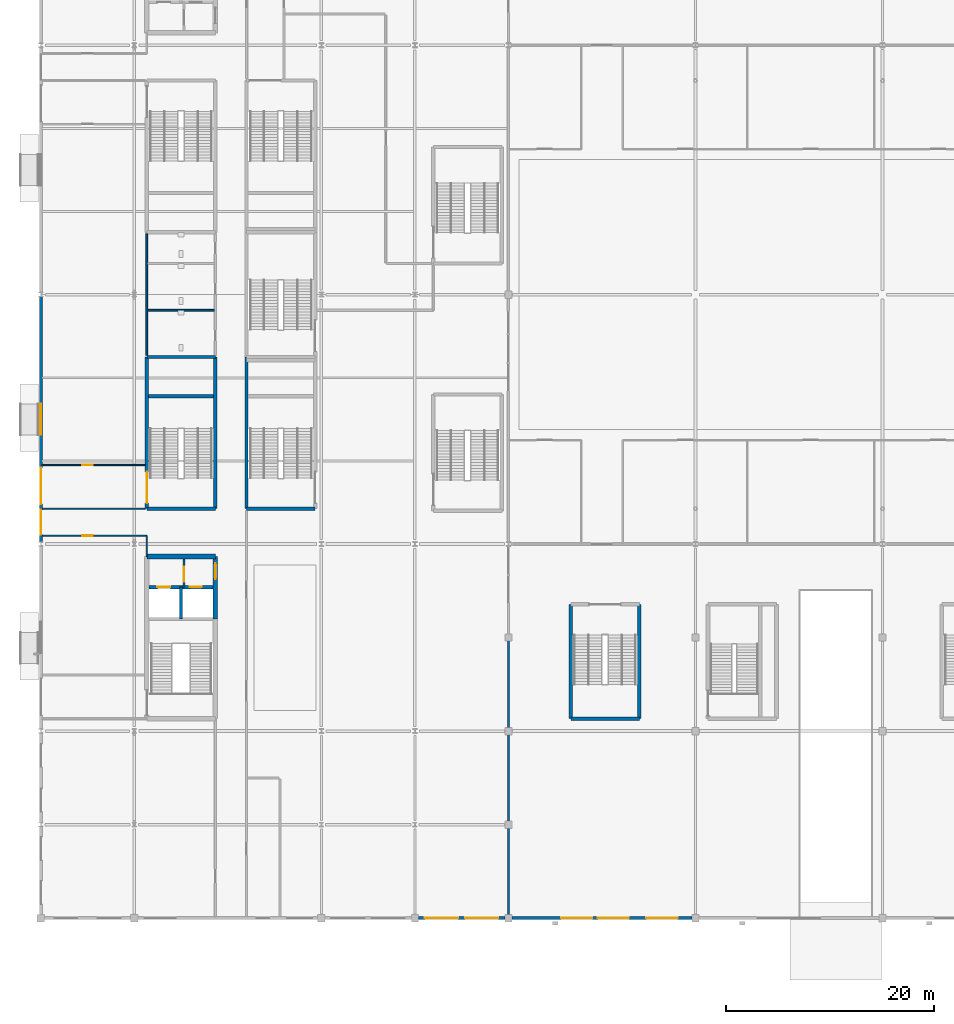
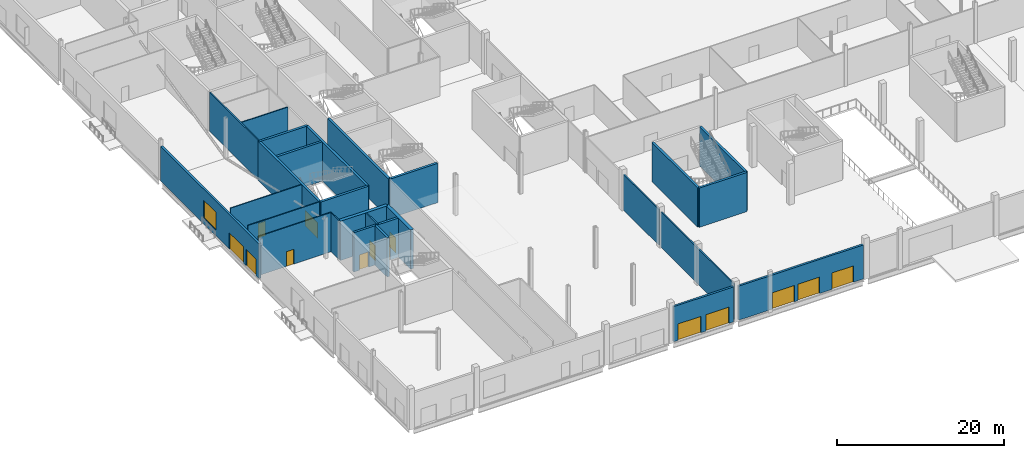
# One storey, part 30 of 84: 27 walls, 14 doors, 1 window, 15 openings.
"""IFC4 building model written with IfcOpenShell, lengths in metres."""

from ifc_helpers import new_model, si_unit, direction, frame, frame_2d, origin, place, context, subcontext, project, spatial, rectangle, extrude, material, layer, layer_set, type_object, element, fill, save


model = new_model("IFC4")

# Units and contexts
model_context = context("Model", 3, precision=1e-05, world=origin(), true_north=direction((0.0, 1.0)))
body_context = subcontext(model_context, "Body", "Model", "MODEL_VIEW")
ifc_project = project(units=[si_unit("LENGTHUNIT", "METRE"), si_unit("AREAUNIT", "SQUARE_METRE"), si_unit("VOLUMEUNIT", "CUBIC_METRE"), si_unit("PLANEANGLEUNIT", "RADIAN"), si_unit("MASSUNIT", "GRAM", prefix="KILO")], contexts=[model_context])

# Site, building, storey
site_placement = place(None, origin())
site = spatial("IfcSite", under=ifc_project, at=site_placement, CompositionType="ELEMENT")
building_placement = place(site_placement, origin())
building = spatial("IfcBuilding", under=site, at=building_placement, Name="Kisiwana Market Hall", CompositionType="ELEMENT")
storey_placement = place(building_placement, origin())
storey = spatial("IfcBuildingStorey", under=building, at=storey_placement, Name="L00", CompositionType="ELEMENT", Elevation=0.0)

# Wall, opening, door
ifc_material_1 = material(Name="Masonry blockwork", Category="masonry")
ifc_layer_1 = layer(ifc_material_1, 0.199951171875, Name="Plastered fire compartment block wall")
ifc_layer_set_1 = layer_set([ifc_layer_1], Name="WL-COMP-200")
wall_type_1 = type_object("IfcWallType", Name="WL-COMP-200", PredefinedType="PARTITIONING", material=ifc_layer_set_1)
wall_1_placement = place(storey_placement, frame((13.800048828125, 31.844970703125, 0.0), z_axis=(0.0, 0.0, 1.0), x_axis=(0.0, 1.0, 0.0)))
wall_1 = element("IfcWall", 1, at=wall_1_placement, inside=storey, type_object=wall_type_1, Name="Core W2 firefighting lobby wall W-0529", PredefinedType="PARTITIONING", context=body_context, shape_type="SweptSolid", body=[
    extrude(rectangle(XDim=2.72998046875, YDim=0.199951171875, at=frame_2d((1.364990234375, 0.0))), origin(), (0.0, 0.0, 1.0), 5.75),
])
opening_1_placement = place(wall_1_placement, frame((0.550048828125, 0.0, 0.0)))
opening_1 = element("IfcOpeningElement", 2, at=opening_1_placement, cuts=wall_1, Name="Opening DR-L00-003", PredefinedType="OPENING", context=body_context, shape_type="SweptSolid", body=[
    extrude(rectangle(XDim=1.39990234375, YDim=2.25, at=frame_2d((0.699951171875, 1.125))), frame((0.0, 0.11181640625, 0.0), z_axis=(0.0, -1.0, 0.0), x_axis=(1.0, 0.0, 0.0)), (0.0, 0.0, 1.0), 0.223876953125),
])
ifc_material_2 = material(Name="Steel S275", Category="steel")
door_type_1 = type_object("IfcDoorType", Name="DR-FFLOB-FD120-1400", OperationType="DOUBLE_DOOR_SINGLE_SWING", PredefinedType="DOOR", material=ifc_material_2)
door_1_placement = place(opening_1_placement, frame((1.39990234375, 0.0, 0.0), z_axis=(0.0, 0.0, 1.0), x_axis=(-1.0, 0.0, 0.0)))
door_1 = element("IfcDoor", 3, at=door_1_placement, inside=storey, type_object=door_type_1, Name="Firefighting Lift Lobby W2 Door (L00)", OperationType="DOUBLE_DOOR_SINGLE_SWING", OverallHeight=2.25, OverallWidth=1.39990234375, PredefinedType="DOOR", context=body_context, shape_type="SweptSolid", body=[
    extrude(rectangle(XDim=1.39990234375, YDim=2.25, at=frame_2d((0.699951171875, 1.125))), frame((0.0, 0.02490234375, 0.0), z_axis=(0.0, -1.0, 0.0), x_axis=(1.0, 0.0, 0.0)), (0.0, 0.0, 1.0), 0.050048828125),
])
fill(opening_1, door_1)

# Wall
ifc_material_3 = material(Name="Concrete C40/50", Category="concrete")
ifc_layer_2 = layer(ifc_material_3, 0.320068359375, Name="Reinforced concrete shaft wall")
ifc_layer_set_2 = layer_set([ifc_layer_2], Name="WL-CORE-320")
wall_type_2 = type_object("IfcWallType", Name="WL-CORE-320", PredefinedType="SHEAR", material=ifc_layer_set_2)
wall_2_placement = place(storey_placement, frame((13.5, 28.784912109375, 0.0), z_axis=(0.0, 0.0, 1.0), x_axis=(0.0, 1.0, 0.0)))
element("IfcWall", 4, at=wall_2_placement, inside=storey, type_object=wall_type_2, Name="Core W2 inter-shaft shear wall W-0341", PredefinedType="SHEAR", context=body_context, shape_type="SweptSolid", body=[
    extrude(rectangle(XDim=3.06005859375, YDim=0.320068359375, at=frame_2d((1.530029296875, 0.0))), origin(), (0.0, 0.0, 1.0), 5.75),
])

# Wall, opening, door
wall_3_placement = place(storey_placement, frame((10.425048828125, 31.844970703125, 0.0), z_axis=(0.0, 0.0, 1.0), x_axis=(1.0, 0.0, 0.0)))
wall_3 = element("IfcWall", 5, at=wall_3_placement, inside=storey, type_object=wall_type_2, Name="Core W2 west lift front wall W-0342", PredefinedType="SHEAR", context=body_context, shape_type="SweptSolid", body=[
    extrude(rectangle(XDim=3.074951171875, YDim=0.320068359375, at=frame_2d((1.53759765625, 0.0))), origin(), (0.0, 0.0, 1.0), 5.75),
])
opening_2_placement = place(wall_3_placement, frame((0.800048828125, 0.0, 0.0)))
opening_2 = element("IfcOpeningElement", 6, at=opening_2_placement, cuts=wall_3, Name="Opening LD-L00-001", PredefinedType="OPENING", context=body_context, shape_type="SweptSolid", body=[
    extrude(rectangle(XDim=1.25, YDim=2.25, at=frame_2d((0.625, 1.125))), frame((0.0, 0.171875, 0.0), z_axis=(0.0, -1.0, 0.0), x_axis=(1.0, 0.0, 0.0)), (0.0, 0.0, 1.0), 0.343994140625),
])
ifc_material_4 = material(Name="Steel S275", Category="steel")
door_type_2 = type_object("IfcDoorType", Name="DR-LIFT-FFL-1250", OperationType="DOUBLE_DOOR_SLIDING", PredefinedType="DOOR", material=ifc_material_4)
door_2_placement = place(opening_2_placement, origin())
door_2 = element("IfcDoor", 7, at=door_2_placement, inside=storey, type_object=door_type_2, Name="Lift Landing Door FFL-01 (L00)", OperationType="DOUBLE_DOOR_SLIDING", OverallHeight=2.25, OverallWidth=1.25, PredefinedType="DOOR", context=body_context, shape_type="SweptSolid", body=[
    extrude(rectangle(XDim=1.25, YDim=2.25, at=frame_2d((0.625, 1.125))), frame((0.0, 0.02490234375, 0.0), z_axis=(0.0, -1.0, 0.0), x_axis=(1.0, 0.0, 0.0)), (0.0, 0.0, 1.0), 0.050048828125),
])
fill(opening_2, door_2)

wall_4_placement = place(storey_placement, frame((13.5, 31.844970703125, 0.0), z_axis=(0.0, 0.0, 1.0), x_axis=(1.0, 0.0, 0.0)))
wall_4 = element("IfcWall", 8, at=wall_4_placement, inside=storey, type_object=wall_type_2, Name="Core W2 east lift front wall W-0343", PredefinedType="SHEAR", context=body_context, shape_type="SweptSolid", body=[
    extrude(rectangle(XDim=3.074951171875, YDim=0.320068359375, at=frame_2d((1.53759765625, 0.0))), origin(), (0.0, 0.0, 1.0), 5.75),
])
opening_3_placement = place(wall_4_placement, frame((0.85009765625, 0.0, 0.0)))
opening_3 = element("IfcOpeningElement", 9, at=opening_3_placement, cuts=wall_4, Name="Opening LD-L00-002", PredefinedType="OPENING", context=body_context, shape_type="SweptSolid", body=[
    extrude(rectangle(XDim=1.14990234375, YDim=2.199951171875, at=frame_2d((0.574951171875, 1.10009765625))), frame((0.0, 0.171875, 0.0), z_axis=(0.0, -1.0, 0.0), x_axis=(1.0, 0.0, 0.0)), (0.0, 0.0, 1.0), 0.343994140625),
])
ifc_material_5 = material(Name="Steel S275", Category="steel")
door_type_3 = type_object("IfcDoorType", Name="DR-LIFT-PAX-1150", OperationType="DOUBLE_DOOR_SLIDING", PredefinedType="DOOR", material=ifc_material_5)
door_3_placement = place(opening_3_placement, origin())
door_3 = element("IfcDoor", 10, at=door_3_placement, inside=storey, type_object=door_type_3, Name="Lift Landing Door LP-01 (L00)", OperationType="DOUBLE_DOOR_SLIDING", OverallHeight=2.199951171875, OverallWidth=1.14990234375, PredefinedType="DOOR", context=body_context, shape_type="SweptSolid", body=[
    extrude(rectangle(XDim=1.14990234375, YDim=2.199951171875, at=frame_2d((0.574951171875, 1.10009765625))), frame((0.0, 0.02490234375, 0.0), z_axis=(0.0, -1.0, 0.0), x_axis=(1.0, 0.0, 0.0)), (0.0, 0.0, 1.0), 0.050048828125),
])
fill(opening_3, door_3)

# Walls
for number, where, z_axis, x_axis, name in (
    (11, (10.199951171875, 39.39990234375, 0.0), (0.0, 0.0, 1.0), (1.0, 0.0, 0.0), "Core W3 south shear wall W-0393"),
    (12, (10.199951171875, 54.0, 0.0), (0.0, 0.0, 1.0), (1.0, 0.0, 0.0), "Core W3 north shear wall W-0394"),
):
    element("IfcWall", number, at=place(storey_placement, frame(where, z_axis=z_axis, x_axis=x_axis)), inside=storey, type_object=wall_type_2, Name=name, PredefinedType="SHEAR", context=body_context, shape_type="SweptSolid", body=[
        extrude(rectangle(XDim=6.60009765625, YDim=0.320068359375, at=frame_2d((3.300048828125, 0.0))), origin(), (0.0, 0.0, 1.0), 5.75),
    ])

# Wall, opening, door
wall_5_placement = place(storey_placement, frame((10.199951171875, 39.39990234375, 0.0), z_axis=(0.0, 0.0, 1.0), x_axis=(0.0, 1.0, 0.0)))
wall_5 = element("IfcWall", 13, at=wall_5_placement, inside=storey, type_object=wall_type_2, Name="Core W3 corridor shear wall W-0395", PredefinedType="SHEAR", context=body_context, shape_type="SweptSolid", body=[
    extrude(rectangle(XDim=14.60009765625, YDim=0.320068359375, at=frame_2d((7.300048828125, 0.0))), origin(), (0.0, 0.0, 1.0), 5.75),
])
opening_4_placement = place(wall_5_placement, frame((0.550048828125, 0.0, 0.0)))
opening_4 = element("IfcOpeningElement", 14, at=opening_4_placement, cuts=wall_5, Name="Opening DR-L00-019", PredefinedType="OPENING", context=body_context, shape_type="SweptSolid", body=[
    extrude(rectangle(XDim=3.0, YDim=2.25, at=frame_2d((1.5, 1.125))), frame((0.0, 0.171875, 0.0), z_axis=(0.0, -1.0, 0.0), x_axis=(1.0, 0.0, 0.0)), (0.0, 0.0, 1.0), 0.343994140625),
])
ifc_material_6 = material(Name="Steel S275", Category="steel")
door_type_4 = type_object("IfcDoorType", Name="DR-STAIR-FD120-3000", OperationType="DOUBLE_DOOR_SINGLE_SWING", PredefinedType="DOOR", material=ifc_material_6)
door_4_placement = place(opening_4_placement, frame((3.0, 0.0, 0.0), z_axis=(0.0, 0.0, 1.0), x_axis=(-1.0, 0.0, 0.0)))
door_4 = element("IfcDoor", 15, at=door_4_placement, inside=storey, type_object=door_type_4, Name="Escape Stair W3 Fire Door (L00)", OperationType="DOUBLE_DOOR_SINGLE_SWING", OverallHeight=2.25, OverallWidth=3.0, PredefinedType="DOOR", context=body_context, shape_type="SweptSolid", body=[
    extrude(rectangle(XDim=3.0, YDim=2.25, at=frame_2d((1.5, 1.125))), frame((0.0, 0.02490234375, 0.0), z_axis=(0.0, -1.0, 0.0), x_axis=(1.0, 0.0, 0.0)), (0.0, 0.0, 1.0), 0.050048828125),
])
fill(opening_4, door_4)

# Walls
wall_6_placement = place(storey_placement, frame((16.800048828125, 39.39990234375, 0.0), z_axis=(0.0, 0.0, 1.0), x_axis=(0.0, 1.0, 0.0)))
element("IfcWall", 16, at=wall_6_placement, inside=storey, type_object=wall_type_2, Name="Core W3 outer shear wall W-0396", PredefinedType="SHEAR", context=body_context, shape_type="SweptSolid", body=[
    extrude(rectangle(XDim=14.60009765625, YDim=0.320068359375, at=frame_2d((7.300048828125, 0.0))), origin(), (0.0, 0.0, 1.0), 5.75),
])
wall_7_placement = place(storey_placement, frame((10.360107421875, 50.219970703125, 0.0), z_axis=(0.0, 0.0, 1.0), x_axis=(1.0, 0.0, 0.0)))
element("IfcWall", 17, at=wall_7_placement, inside=storey, type_object=wall_type_2, Name="Core W3 riser divider shear wall W-0397", PredefinedType="SHEAR", context=body_context, shape_type="SweptSolid", body=[
    extrude(rectangle(XDim=6.27978515625, YDim=0.320068359375, at=frame_2d((3.139892578125, 0.0))), origin(), (0.0, 0.0, 1.0), 5.75),
])
wall_8_placement = place(storey_placement, frame((19.800048828125, 39.39990234375, 0.0), z_axis=(0.0, 0.0, 1.0), x_axis=(1.0, 0.0, 0.0)))
element("IfcWall", 18, at=wall_8_placement, inside=storey, type_object=wall_type_2, Name="Core W7 south shear wall W-0413", PredefinedType="SHEAR", context=body_context, shape_type="SweptSolid", body=[
    extrude(rectangle(XDim=6.599853515625, YDim=0.320068359375, at=frame_2d((3.2998046875, 0.0))), origin(), (0.0, 0.0, 1.0), 5.75),
])
wall_9_placement = place(storey_placement, frame((19.800048828125, 39.39990234375, 0.0), z_axis=(0.0, 0.0, 1.0), x_axis=(0.0, 1.0, 0.0)))
element("IfcWall", 19, at=wall_9_placement, inside=storey, type_object=wall_type_2, Name="Core W7 outer shear wall W-0415", PredefinedType="SHEAR", context=body_context, shape_type="SweptSolid", body=[
    extrude(rectangle(XDim=14.60009765625, YDim=0.320068359375, at=frame_2d((7.300048828125, 0.0))), origin(), (0.0, 0.0, 1.0), 5.75),
])
wall_10_placement = place(storey_placement, frame((51.0, 19.199951171875, 0.0), z_axis=(0.0, 0.0, 1.0), x_axis=(1.0, 0.0, 0.0)))
element("IfcWall", 20, at=wall_10_placement, inside=storey, type_object=wall_type_2, Name="Core S3 outer shear wall W-0457", PredefinedType="SHEAR", context=body_context, shape_type="SweptSolid", body=[
    extrude(rectangle(XDim=6.60009765625, YDim=0.320068359375, at=frame_2d((3.300048828125, 0.0))), origin(), (0.0, 0.0, 1.0), 5.75),
])
for number, where, z_axis, x_axis, name in (
    (21, (51.0, 19.199951171875, 0.0), (0.0, 0.0, 1.0), (0.0, 1.0, 0.0), "Core S3 west shear wall W-0459"),
    (22, (57.60009765625, 19.199951171875, 0.0), (0.0, 0.0, 1.0), (0.0, 1.0, 0.0), "Core S3 east shear wall W-0460"),
):
    element("IfcWall", number, at=place(storey_placement, frame(where, z_axis=z_axis, x_axis=x_axis)), inside=storey, type_object=wall_type_2, Name=name, PredefinedType="SHEAR", context=body_context, shape_type="SweptSolid", body=[
        extrude(rectangle(XDim=11.0, YDim=0.320068359375, at=frame_2d((5.5, 0.0))), origin(), (0.0, 0.0, 1.0), 5.75),
    ])
ifc_material_7 = material(Name="Concrete C40/50", Category="concrete")
ifc_layer_3 = layer(ifc_material_7, 0.449951171875, Name="Reinforced concrete core wall")
ifc_layer_set_3 = layer_set([ifc_layer_3], Name="WL-CORE-450")
wall_type_3 = type_object("IfcWallType", Name="WL-CORE-450", PredefinedType="SHEAR", material=ifc_layer_set_3)
wall_11_placement = place(storey_placement, frame((10.199951171875, 34.800048828125, 0.0), z_axis=(0.0, 0.0, 1.0), x_axis=(1.0, 0.0, 0.0)))
element("IfcWall", 23, at=wall_11_placement, inside=storey, type_object=wall_type_3, Name="Core W2 north shear wall W-0336", PredefinedType="SHEAR", context=body_context, shape_type="SweptSolid", body=[
    extrude(rectangle(XDim=6.60009765625, YDim=0.449951171875, at=frame_2d((3.300048828125, 0.0))), origin(), (0.0, 0.0, 1.0), 5.75),
])

# Wall, opening, door
wall_12_placement = place(storey_placement, frame((16.800048828125, 28.784912109375, 0.0), z_axis=(0.0, 0.0, 1.0), x_axis=(0.0, 1.0, 0.0)))
wall_12 = element("IfcWall", 24, at=wall_12_placement, inside=storey, type_object=wall_type_3, Name="Core W2 lobby corridor shear wall W-0339", PredefinedType="SHEAR", context=body_context, shape_type="SweptSolid", body=[
    extrude(rectangle(XDim=6.01513671875, YDim=0.449951171875, at=frame_2d((3.007568359375, 0.0))), origin(), (0.0, 0.0, 1.0), 5.75),
])
opening_5_placement = place(wall_12_placement, frame((3.85009765625, 0.0, 0.0)))
opening_5 = element("IfcOpeningElement", 25, at=opening_5_placement, cuts=wall_12, Name="Opening DR-L00-002", PredefinedType="OPENING", context=body_context, shape_type="SweptSolid", body=[
    extrude(rectangle(XDim=1.5, YDim=2.199951171875, at=frame_2d((0.75, 1.10009765625))), frame((0.0, 0.23681640625, 0.0), z_axis=(0.0, -1.0, 0.0), x_axis=(1.0, 0.0, 0.0)), (0.0, 0.0, 1.0), 0.473876953125),
])
ifc_material_8 = material(Name="Steel S275", Category="steel")
door_type_5 = type_object("IfcDoorType", Name="DR-CORR-FD60-1500", OperationType="DOUBLE_DOOR_SINGLE_SWING", PredefinedType="DOOR", material=ifc_material_8)
door_5_placement = place(opening_5_placement, frame((1.5, 0.0, 0.0), z_axis=(0.0, 0.0, 1.0), x_axis=(-1.0, 0.0, 0.0)))
door_5 = element("IfcDoor", 26, at=door_5_placement, inside=storey, type_object=door_type_5, Name="Passenger Lift Lobby W2 Smoke Door (L00)", OperationType="DOUBLE_DOOR_SINGLE_SWING", OverallHeight=2.199951171875, OverallWidth=1.5, PredefinedType="DOOR", context=body_context, shape_type="SweptSolid", body=[
    extrude(rectangle(XDim=1.5, YDim=2.199951171875, at=frame_2d((0.75, 1.10009765625))), frame((0.0, 0.02490234375, 0.0), z_axis=(0.0, -1.0, 0.0), x_axis=(1.0, 0.0, 0.0)), (0.0, 0.0, 1.0), 0.050048828125),
])
fill(opening_5, door_5)

# Walls
ifc_material_9 = material(Name="Masonry blockwork", Category="masonry")
ifc_layer_4 = layer(ifc_material_9, 0.169921875, Name="Protected corridor partition")
ifc_layer_set_4 = layer_set([ifc_layer_4], Name="WL-CORR-170")
wall_type_4 = type_object("IfcWallType", Name="WL-CORR-170", PredefinedType="PARTITIONING", material=ifc_layer_set_4)
wall_13_placement = place(storey_placement, frame((10.199951171875, 54.159912109375, 0.0), z_axis=(0.0, 0.0, 1.0), x_axis=(0.0, 1.0, 0.0)))
element("IfcWall", 27, at=wall_13_placement, inside=storey, type_object=wall_type_4, Name="Interior partition W-0533", PredefinedType="PARTITIONING", context=body_context, shape_type="SweptSolid", body=[
    extrude(rectangle(XDim=11.68017578125, YDim=0.169921875, at=frame_2d((5.840087890625, 0.0))), origin(), (0.0, 0.0, 1.0), 5.75),
])
wall_14_placement = place(storey_placement, frame((45.0, 0.219970703125, 0.0), z_axis=(0.0, 0.0, 1.0), x_axis=(0.0, 1.0, 0.0)))
element("IfcWall", 28, at=wall_14_placement, inside=storey, type_object=wall_type_4, Name="Interior partition W-0554", PredefinedType="PARTITIONING", context=body_context, shape_type="SweptSolid", body=[
    extrude(rectangle(XDim=17.56005859375, YDim=0.169921875, at=frame_2d((8.780029296875, 0.0))), origin(), (0.0, 0.0, 1.0), 5.216796875),
])
wall_15_placement = place(storey_placement, frame((45.0, 18.219970703125, 0.0), z_axis=(0.0, 0.0, 1.0), x_axis=(0.0, 1.0, 0.0)))
element("IfcWall", 29, at=wall_15_placement, inside=storey, type_object=wall_type_4, Name="Interior partition W-0555", PredefinedType="PARTITIONING", context=body_context, shape_type="SweptSolid", body=[
    extrude(rectangle(XDim=8.56005859375, YDim=0.169921875, at=frame_2d((4.280029296875, 0.0))), origin(), (0.0, 0.0, 1.0), 5.216796875),
])

# Wall, openings, doors
ifc_material_10 = material(Name="Masonry blockwork", Category="masonry")
ifc_layer_5 = layer(ifc_material_10, 0.139892578125, Name="Rendered masonry outer leaf")
ifc_material_11 = material(Name="Mineral wool insulation")
ifc_layer_6 = layer(ifc_material_11, 0.074951171875, Name="Mineral wool cavity insulation")
ifc_material_12 = material(Name="Gypsum plasterboard")
ifc_layer_7 = layer(ifc_material_12, 0.074951171875, Name="Calcium silicate inner lining")
ifc_layer_set_5 = layer_set([ifc_layer_5, ifc_layer_6, ifc_layer_7], Name="WL-EXT-MAS-290")
wall_type_5 = type_object("IfcWallType", Name="WL-EXT-MAS-290", PredefinedType="STANDARD", material=ifc_layer_set_5)
wall_16_placement = place(storey_placement, frame((36.342041015625, 0.0, 0.0), z_axis=(0.0, 0.0, 1.0), x_axis=(1.0, 0.0, 0.0)))
wall_16 = element("IfcWall", 30, at=wall_16_placement, inside=storey, type_object=wall_type_5, Name="Exterior wall W-0492", PredefinedType="STANDARD", context=body_context, shape_type="SweptSolid", body=[
    extrude(rectangle(XDim=8.31591796875, YDim=0.2900390625, at=frame_2d((4.157958984375, 0.0))), origin(), (0.0, 0.0, 1.0), 5.1376953125),
])
opening_6_placement = place(wall_16_placement, frame((0.62890625, 0.0, 0.0)))
opening_6 = element("IfcOpeningElement", 31, at=opening_6_placement, cuts=wall_16, Name="Opening DR-L00-807", PredefinedType="OPENING", context=body_context, shape_type="SweptSolid", body=[
    extrude(rectangle(XDim=3.199951171875, YDim=2.39990234375, at=frame_2d((1.60009765625, 1.199951171875))), frame((0.0, 0.156982421875, 0.0), z_axis=(0.0, -1.0, 0.0), x_axis=(1.0, 0.0, 0.0)), (0.0, 0.0, 1.0), 0.31396484375),
])
opening_7_placement = place(wall_16_placement, frame((4.487060546875, 0.0, 0.0)))
opening_7 = element("IfcOpeningElement", 32, at=opening_7_placement, cuts=wall_16, Name="Opening DR-L00-808", PredefinedType="OPENING", context=body_context, shape_type="SweptSolid", body=[
    extrude(rectangle(XDim=3.199951171875, YDim=2.39990234375, at=frame_2d((1.60009765625, 1.199951171875))), frame((0.0, 0.156982421875, 0.0), z_axis=(0.0, -1.0, 0.0), x_axis=(1.0, 0.0, 0.0)), (0.0, 0.0, 1.0), 0.31396484375),
])
ifc_material_13 = material(Name="Aluminium alloy 6063-T6", Category="aluminium")
door_type_6 = type_object("IfcDoorType", Name="DR-EXT-EX-3200", OperationType="DOUBLE_DOOR_SINGLE_SWING", PredefinedType="DOOR", material=ifc_material_13)
door_6_placement = place(opening_6_placement, frame((3.199951171875, 0.0, 0.0), z_axis=(0.0, 0.0, 1.0), x_axis=(-1.0, 0.0, 0.0)))
door_6 = element("IfcDoor", 33, at=door_6_placement, inside=storey, type_object=door_type_6, Name="Ground avenue pedestrian final exit door DR-L00-807", OperationType="DOUBLE_DOOR_SINGLE_SWING", OverallHeight=2.39990234375, OverallWidth=3.199951171875, PredefinedType="DOOR", context=body_context, shape_type="SweptSolid", body=[
    extrude(rectangle(XDim=3.199951171875, YDim=2.39990234375, at=frame_2d((1.60009765625, 1.199951171875))), frame((0.0, 0.02490234375, 0.0), z_axis=(0.0, -1.0, 0.0), x_axis=(1.0, 0.0, 0.0)), (0.0, 0.0, 1.0), 0.050048828125),
])
fill(opening_6, door_6)
door_7_placement = place(opening_7_placement, frame((3.199951171875, 0.0, 0.0), z_axis=(0.0, 0.0, 1.0), x_axis=(-1.0, 0.0, 0.0)))
door_7 = element("IfcDoor", 34, at=door_7_placement, inside=storey, type_object=door_type_6, Name="Ground avenue pedestrian final exit door DR-L00-808", OperationType="DOUBLE_DOOR_SINGLE_SWING", OverallHeight=2.39990234375, OverallWidth=3.199951171875, PredefinedType="DOOR", context=body_context, shape_type="SweptSolid", body=[
    extrude(rectangle(XDim=3.199951171875, YDim=2.39990234375, at=frame_2d((1.60009765625, 1.199951171875))), frame((0.0, 0.02490234375, 0.0), z_axis=(0.0, -1.0, 0.0), x_axis=(1.0, 0.0, 0.0)), (0.0, 0.0, 1.0), 0.050048828125),
])
fill(opening_7, door_7)

wall_17_placement = place(storey_placement, frame((45.342041015625, 0.0, 0.0), z_axis=(0.0, 0.0, 1.0), x_axis=(1.0, 0.0, 0.0)))
wall_17 = element("IfcWall", 35, at=wall_17_placement, inside=storey, type_object=wall_type_5, Name="Exterior wall W-0493", PredefinedType="STANDARD", context=body_context, shape_type="SweptSolid", body=[
    extrude(rectangle(XDim=17.31591796875, YDim=0.2900390625, at=frame_2d((8.657958984375, 0.0))), origin(), (0.0, 0.0, 1.0), 4.98779296875),
])
opening_8_placement = place(wall_17_placement, frame((4.736083984375, 0.0, 0.0)))
opening_8 = element("IfcOpeningElement", 36, at=opening_8_placement, cuts=wall_17, Name="Opening DR-L00-809", PredefinedType="OPENING", context=body_context, shape_type="SweptSolid", body=[
    extrude(rectangle(XDim=3.0, YDim=2.39990234375, at=frame_2d((1.5, 1.199951171875))), frame((0.0, 0.156982421875, 0.0), z_axis=(0.0, -1.0, 0.0), x_axis=(1.0, 0.0, 0.0)), (0.0, 0.0, 1.0), 0.31396484375),
])
opening_9_placement = place(wall_17_placement, frame((8.258056640625, 0.0, 0.0)))
opening_9 = element("IfcOpeningElement", 37, at=opening_9_placement, cuts=wall_17, Name="Opening DR-L00-810", PredefinedType="OPENING", context=body_context, shape_type="SweptSolid", body=[
    extrude(rectangle(XDim=3.0, YDim=2.39990234375, at=frame_2d((1.5, 1.199951171875))), frame((0.0, 0.156982421875, 0.0), z_axis=(0.0, -1.0, 0.0), x_axis=(1.0, 0.0, 0.0)), (0.0, 0.0, 1.0), 0.31396484375),
])
opening_10_placement = place(wall_17_placement, frame((12.929931640625, 0.0, 0.0)))
opening_10 = element("IfcOpeningElement", 38, at=opening_10_placement, cuts=wall_17, Name="Opening DR-L00-811", PredefinedType="OPENING", context=body_context, shape_type="SweptSolid", body=[
    extrude(rectangle(XDim=3.0, YDim=2.39990234375, at=frame_2d((1.5, 1.199951171875))), frame((0.0, 0.156982421875, 0.0), z_axis=(0.0, -1.0, 0.0), x_axis=(1.0, 0.0, 0.0)), (0.0, 0.0, 1.0), 0.31396484375),
])
ifc_material_14 = material(Name="Aluminium alloy 6063-T6", Category="aluminium")
door_type_7 = type_object("IfcDoorType", Name="DR-EXT-EX-3000", OperationType="DOUBLE_DOOR_SINGLE_SWING", PredefinedType="DOOR", material=ifc_material_14)
door_8_placement = place(opening_8_placement, frame((3.0, 0.0, 0.0), z_axis=(0.0, 0.0, 1.0), x_axis=(-1.0, 0.0, 0.0)))
door_8 = element("IfcDoor", 39, at=door_8_placement, inside=storey, type_object=door_type_7, Name="Ground avenue pedestrian final exit door DR-L00-809", OperationType="DOUBLE_DOOR_SINGLE_SWING", OverallHeight=2.39990234375, OverallWidth=3.0, PredefinedType="DOOR", context=body_context, shape_type="SweptSolid", body=[
    extrude(rectangle(XDim=3.0, YDim=2.39990234375, at=frame_2d((1.5, 1.199951171875))), frame((0.0, 0.02490234375, 0.0), z_axis=(0.0, -1.0, 0.0), x_axis=(1.0, 0.0, 0.0)), (0.0, 0.0, 1.0), 0.050048828125),
])
fill(opening_8, door_8)
door_9_placement = place(opening_9_placement, frame((3.0, 0.0, 0.0), z_axis=(0.0, 0.0, 1.0), x_axis=(-1.0, 0.0, 0.0)))
door_9 = element("IfcDoor", 40, at=door_9_placement, inside=storey, type_object=door_type_7, Name="Ground avenue pedestrian final exit door DR-L00-810", OperationType="DOUBLE_DOOR_SINGLE_SWING", OverallHeight=2.39990234375, OverallWidth=3.0, PredefinedType="DOOR", context=body_context, shape_type="SweptSolid", body=[
    extrude(rectangle(XDim=3.0, YDim=2.39990234375, at=frame_2d((1.5, 1.199951171875))), frame((0.0, 0.02490234375, 0.0), z_axis=(0.0, -1.0, 0.0), x_axis=(1.0, 0.0, 0.0)), (0.0, 0.0, 1.0), 0.050048828125),
])
fill(opening_9, door_9)
door_10_placement = place(opening_10_placement, frame((3.0, 0.0, 0.0), z_axis=(0.0, 0.0, 1.0), x_axis=(-1.0, 0.0, 0.0)))
door_10 = element("IfcDoor", 41, at=door_10_placement, inside=storey, type_object=door_type_7, Name="Ground avenue pedestrian final exit door DR-L00-811", OperationType="DOUBLE_DOOR_SINGLE_SWING", OverallHeight=2.39990234375, OverallWidth=3.0, PredefinedType="DOOR", context=body_context, shape_type="SweptSolid", body=[
    extrude(rectangle(XDim=3.0, YDim=2.39990234375, at=frame_2d((1.5, 1.199951171875))), frame((0.0, 0.02490234375, 0.0), z_axis=(0.0, -1.0, 0.0), x_axis=(1.0, 0.0, 0.0)), (0.0, 0.0, 1.0), 0.050048828125),
])
fill(opening_10, door_10)

# Wall, openings, doors, window
wall_18_placement = place(storey_placement, frame((0.0, 36.198486328125, 0.0), z_axis=(0.0, 0.0, 1.0), x_axis=(0.0, 1.0, 0.0)))
wall_18 = element("IfcWall", 42, at=wall_18_placement, inside=storey, type_object=wall_type_5, Name="Exterior wall W-0520", PredefinedType="STANDARD", context=body_context, shape_type="SweptSolid", body=[
    extrude(rectangle(XDim=23.60302734375, YDim=0.2900390625, at=frame_2d((11.801513671875, 0.0))), origin(), (0.0, 0.0, 1.0), 5.06640625),
])
opening_11_placement = place(wall_18_placement, frame((0.701416015625, 0.0, 0.0)))
opening_11 = element("IfcOpeningElement", 43, at=opening_11_placement, cuts=wall_18, Name="Opening DR-L00-865", PredefinedType="OPENING", context=body_context, shape_type="SweptSolid", body=[
    extrude(rectangle(XDim=2.39990234375, YDim=2.39990234375, at=frame_2d((1.199951171875, 1.199951171875))), frame((0.0, 0.156982421875, 0.0), z_axis=(0.0, -1.0, 0.0), x_axis=(1.0, 0.0, 0.0)), (0.0, 0.0, 1.0), 0.31396484375),
])
opening_12_placement = place(wall_18_placement, frame((3.651611328125, 0.0, 0.0)))
opening_12 = element("IfcOpeningElement", 44, at=opening_12_placement, cuts=wall_18, Name="Opening DR-L00-866", PredefinedType="OPENING", context=body_context, shape_type="SweptSolid", body=[
    extrude(rectangle(XDim=3.5, YDim=2.39990234375, at=frame_2d((1.75, 1.199951171875))), frame((0.0, 0.156982421875, 0.0), z_axis=(0.0, -1.0, 0.0), x_axis=(1.0, 0.0, 0.0)), (0.0, 0.0, 1.0), 0.31396484375),
])
opening_13_placement = place(wall_18_placement, frame((10.301513671875, 0.0, 0.85009765625)))
opening_13 = element("IfcOpeningElement", 45, at=opening_13_placement, cuts=wall_18, Name="Opening WN-06", PredefinedType="OPENING", context=body_context, shape_type="SweptSolid", body=[
    extrude(rectangle(XDim=3.0, YDim=2.60009765625, at=frame_2d((1.5, 1.300048828125))), frame((0.0, 0.156982421875, 0.0), z_axis=(0.0, -1.0, 0.0), x_axis=(1.0, 0.0, 0.0)), (0.0, 0.0, 1.0), 0.31396484375),
])
ifc_material_15 = material(Name="Aluminium alloy 6063-T6", Category="aluminium")
door_type_8 = type_object("IfcDoorType", Name="DR-EXT-EX-2400", OperationType="DOUBLE_DOOR_SINGLE_SWING", PredefinedType="DOOR", material=ifc_material_15)
door_11_placement = place(opening_11_placement, origin())
door_11 = element("IfcDoor", 46, at=door_11_placement, inside=storey, type_object=door_type_8, Name="Access corridor final exit door DR-L00-865", OperationType="DOUBLE_DOOR_SINGLE_SWING", OverallHeight=2.39990234375, OverallWidth=2.39990234375, PredefinedType="DOOR", context=body_context, shape_type="SweptSolid", body=[
    extrude(rectangle(XDim=2.39990234375, YDim=2.39990234375, at=frame_2d((1.199951171875, 1.199951171875))), frame((0.0, 0.02490234375, 0.0), z_axis=(0.0, -1.0, 0.0), x_axis=(1.0, 0.0, 0.0)), (0.0, 0.0, 1.0), 0.050048828125),
])
fill(opening_11, door_11)
ifc_material_16 = material(Name="Aluminium alloy 6063-T6", Category="aluminium")
door_type_9 = type_object("IfcDoorType", Name="DR-EXT-EX-3500", OperationType="DOUBLE_DOOR_SINGLE_SWING", PredefinedType="DOOR", material=ifc_material_16)
door_12_placement = place(opening_12_placement, origin())
door_12 = element("IfcDoor", 47, at=door_12_placement, inside=storey, type_object=door_type_9, Name="Escape passage final exit door DR-L00-866", OperationType="DOUBLE_DOOR_SINGLE_SWING", OverallHeight=2.39990234375, OverallWidth=3.5, PredefinedType="DOOR", context=body_context, shape_type="SweptSolid", body=[
    extrude(rectangle(XDim=3.5, YDim=2.39990234375, at=frame_2d((1.75, 1.199951171875))), frame((0.0, 0.02490234375, 0.0), z_axis=(0.0, -1.0, 0.0), x_axis=(1.0, 0.0, 0.0)), (0.0, 0.0, 1.0), 0.050048828125),
])
fill(opening_12, door_12)
ifc_material_17 = material(Name="Double-glazed solar-control low-E IGU", Category="glass")
window_type = type_object("IfcWindowType", Name="WN-POD-3000x2600", PartitioningType="SINGLE_PANEL", PredefinedType="WINDOW", material=ifc_material_17)
window_placement = place(opening_13_placement, origin())
window = element("IfcWindow", 48, at=window_placement, inside=storey, type_object=window_type, Name="Exterior window WN-007", OverallHeight=2.60009765625, OverallWidth=3.0, PartitioningType="SINGLE_PANEL", PredefinedType="WINDOW", context=body_context, shape_type="SweptSolid", body=[
    extrude(rectangle(XDim=3.0, YDim=2.60009765625, at=frame_2d((1.5, 1.300048828125))), frame((0.0, 0.030029296875, 0.0), z_axis=(0.0, -1.0, 0.0), x_axis=(1.0, 0.0, 0.0)), (0.0, 0.0, 1.0), 0.06005859375),
])
fill(opening_13, window)

# Wall
ifc_material_18 = material(Name="Gypsum plasterboard")
ifc_layer_8 = layer(ifc_material_18, 0.125, Name="Double gypsum board + acoustic stud")
ifc_layer_set_6 = layer_set([ifc_layer_8], Name="WL-OFF-125")
wall_type_6 = type_object("IfcWallType", Name="WL-OFF-125", PredefinedType="PARTITIONING", material=ifc_layer_set_6)
wall_19_placement = place(storey_placement, frame((10.199951171875, 34.800048828125, 0.0), z_axis=(0.0, 0.0, 1.0), x_axis=(0.0, 1.0, 0.0)))
element("IfcWall", 49, at=wall_19_placement, inside=storey, type_object=wall_type_6, Name="Interior partition W-0537", PredefinedType="PARTITIONING", context=body_context, shape_type="SweptSolid", body=[
    extrude(rectangle(XDim=2.0, YDim=0.125, at=frame_2d((1.0, 0.0))), origin(), (0.0, 0.0, 1.0), 5.75),
])

# Wall, opening, door
wall_20_placement = place(storey_placement, frame((0.14501953125, 36.800048828125, 0.0), z_axis=(0.0, 0.0, 1.0), x_axis=(1.0, 0.0, 0.0)))
wall_20 = element("IfcWall", 50, at=wall_20_placement, inside=storey, type_object=wall_type_6, Name="Interior partition W-0541", PredefinedType="PARTITIONING", context=body_context, shape_type="SweptSolid", body=[
    extrude(rectangle(XDim=10.054931640625, YDim=0.125, at=frame_2d((5.02734375, 0.0))), origin(), (0.0, 0.0, 1.0), 5.75),
])
opening_14_placement = place(wall_20_placement, frame((3.85498046875, 0.0, 0.0)))
opening_14 = element("IfcOpeningElement", 51, at=opening_14_placement, cuts=wall_20, Name="Opening DR-L00-044", PredefinedType="OPENING", context=body_context, shape_type="SweptSolid", body=[
    extrude(rectangle(XDim=1.0, YDim=2.14990234375, at=frame_2d((0.5, 1.074951171875))), frame((0.0, 0.074462890625, 0.0), z_axis=(0.0, -1.0, 0.0), x_axis=(1.0, 0.0, 0.0)), (0.0, 0.0, 1.0), 0.14892578125),
])
ifc_material_19 = material(Name="Steel S275", Category="steel")
door_type_10 = type_object("IfcDoorType", Name="DR-OFF-FD30-1000", OperationType="NOTDEFINED", PredefinedType="DOOR", material=ifc_material_19)
door_13_placement = place(opening_14_placement, frame((1.0, 0.0, 0.0), z_axis=(0.0, 0.0, 1.0), x_axis=(-1.0, 0.0, 0.0)))
door_13 = element("IfcDoor", 52, at=door_13_placement, inside=storey, type_object=door_type_10, Name="L00 W Municipal Office South Door", OperationType="SINGLE_SWING_RIGHT", OverallHeight=2.14990234375, OverallWidth=1.0, PredefinedType="DOOR", context=body_context, shape_type="SweptSolid", body=[
    extrude(rectangle(XDim=1.0, YDim=2.14990234375, at=frame_2d((0.5, 1.074951171875))), frame((0.0, 0.02490234375, 0.0), z_axis=(0.0, -1.0, 0.0), x_axis=(1.0, 0.0, 0.0)), (0.0, 0.0, 1.0), 0.050048828125),
])
fill(opening_14, door_13)

# Wall
wall_21_placement = place(storey_placement, frame((0.14501953125, 39.39990234375, 0.0), z_axis=(0.0, 0.0, 1.0), x_axis=(1.0, 0.0, 0.0)))
element("IfcWall", 53, at=wall_21_placement, inside=storey, type_object=wall_type_6, Name="Interior partition W-0542", PredefinedType="PARTITIONING", context=body_context, shape_type="SweptSolid", body=[
    extrude(rectangle(XDim=9.89501953125, YDim=0.125, at=frame_2d((4.947509765625, 0.0))), origin(), (0.0, 0.0, 1.0), 5.75),
])

# Wall, opening, door
wall_22_placement = place(storey_placement, frame((0.14501953125, 43.60009765625, 0.0), z_axis=(0.0, 0.0, 1.0), x_axis=(1.0, 0.0, 0.0)))
wall_22 = element("IfcWall", 54, at=wall_22_placement, inside=storey, type_object=wall_type_6, Name="Interior partition W-0649", PredefinedType="PARTITIONING", context=body_context, shape_type="SweptSolid", body=[
    extrude(rectangle(XDim=9.89501953125, YDim=0.125, at=frame_2d((4.947509765625, 0.0))), origin(), (0.0, 0.0, 1.0), 5.75),
])
opening_15_placement = place(wall_22_placement, frame((3.85498046875, 0.0, 0.0)))
opening_15 = element("IfcOpeningElement", 55, at=opening_15_placement, cuts=wall_22, Name="Opening DR-L00-104", PredefinedType="OPENING", context=body_context, shape_type="SweptSolid", body=[
    extrude(rectangle(XDim=1.0, YDim=2.14990234375, at=frame_2d((0.5, 1.074951171875))), frame((0.0, 0.074462890625, 0.0), z_axis=(0.0, -1.0, 0.0), x_axis=(1.0, 0.0, 0.0)), (0.0, 0.0, 1.0), 0.14892578125),
])
door_14_placement = place(opening_15_placement, origin())
door_14 = element("IfcDoor", 56, at=door_14_placement, inside=storey, type_object=door_type_10, Name="L00 W Municipal Office Central South Door", OperationType="SINGLE_SWING_LEFT", OverallHeight=2.14990234375, OverallWidth=1.0, PredefinedType="DOOR", context=body_context, shape_type="SweptSolid", body=[
    extrude(rectangle(XDim=1.0, YDim=2.14990234375, at=frame_2d((0.5, 1.074951171875))), frame((0.0, 0.02490234375, 0.0), z_axis=(0.0, -1.0, 0.0), x_axis=(1.0, 0.0, 0.0)), (0.0, 0.0, 1.0), 0.050048828125),
])
fill(opening_15, door_14)

# Wall
ifc_material_20 = material(Name="Masonry blockwork", Category="masonry")
ifc_layer_9 = layer(ifc_material_20, 0.14990234375, Name="Water-resistant sanitary block wall")
ifc_layer_set_7 = layer_set([ifc_layer_9], Name="WL-WET-150")
wall_type_7 = type_object("IfcWallType", Name="WL-WET-150", PredefinedType="PARTITIONING", material=ifc_layer_set_7)
wall_23_placement = place(storey_placement, frame((10.284912109375, 58.5, 0.0), z_axis=(0.0, 0.0, 1.0), x_axis=(1.0, 0.0, 0.0)))
element("IfcWall", 57, at=wall_23_placement, inside=storey, type_object=wall_type_7, Name="Interior partition W-0535", PredefinedType="PARTITIONING", context=body_context, shape_type="SweptSolid", body=[
    extrude(rectangle(XDim=6.43017578125, YDim=0.14990234375, at=frame_2d((3.215087890625, 0.0))), origin(), (0.0, 0.0, 1.0), 5.75),
])

save(model, "model.ifc")
